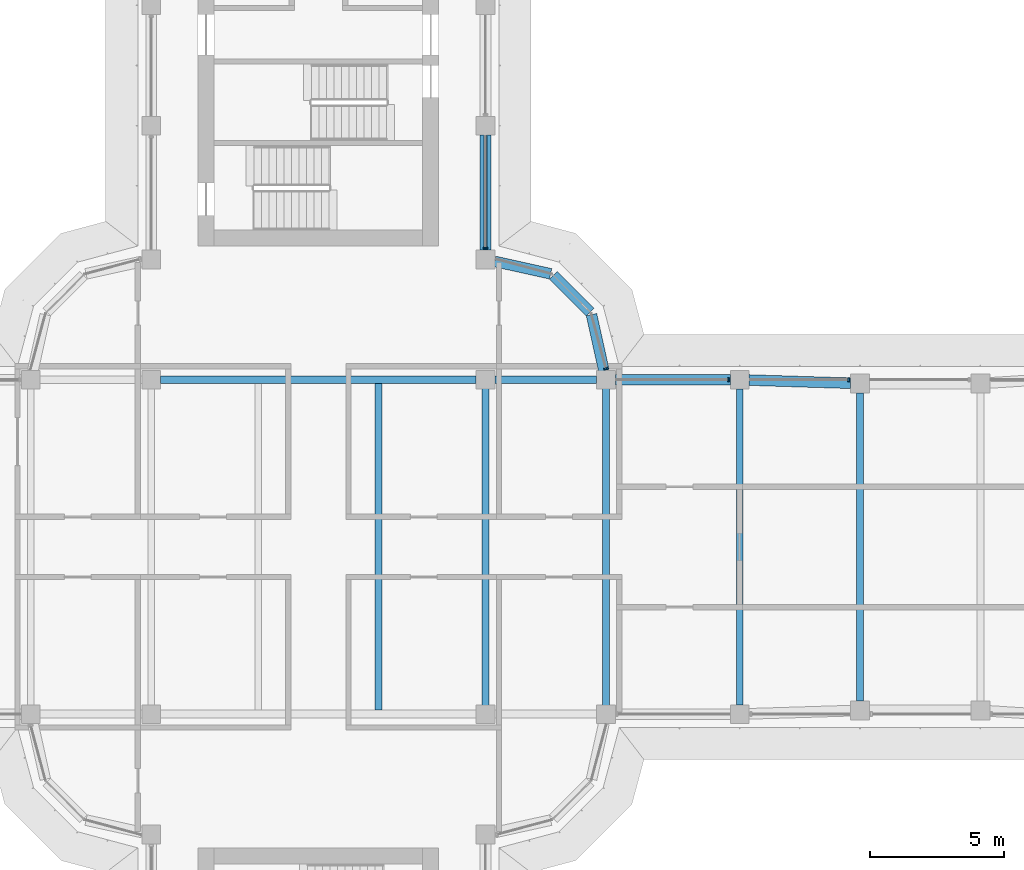
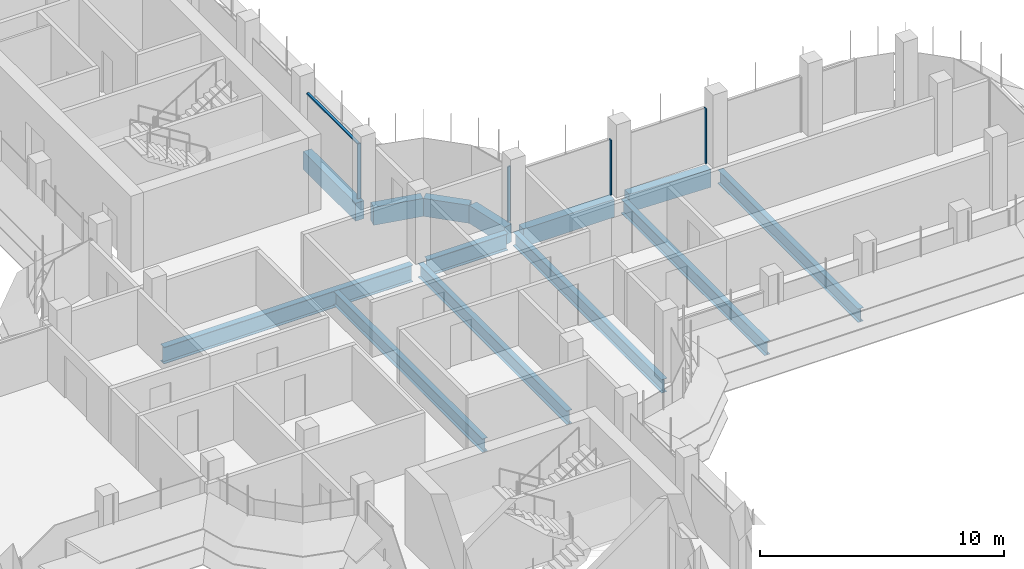
# One storey, part 8 of 19: 13 beams, 5 members, 3 elements without a shape of their own.
"""IFC4 building model written with IfcOpenShell, lengths in metres."""

from ifc_helpers import new_model, si_unit, direction, frame, origin, origin_2d, place, context, subcontext, project, spatial, polyline, rectangle, i_section, outline, extrude, source, transform, mapped, material, material_profile, profile_set, type_object, element, aggregate, save


model = new_model("IFC4")

# Units and contexts
model_context = context("Model", 3, precision=1e-05, world=origin(), true_north=direction((0.0, 1.0)))
body_context = subcontext(model_context, "Body", "Model", "MODEL_VIEW")
ifc_project = project(units=[si_unit("LENGTHUNIT", "METRE"), si_unit("AREAUNIT", "SQUARE_METRE"), si_unit("VOLUMEUNIT", "CUBIC_METRE"), si_unit("PLANEANGLEUNIT", "RADIAN"), si_unit("MASSUNIT", "GRAM", prefix="KILO")], contexts=[model_context])

# Site, building, storey
site_placement = place(None, origin())
site = spatial("IfcSite", under=ifc_project, at=site_placement, CompositionType="ELEMENT")
building_placement = place(site_placement, origin())
building = spatial("IfcBuilding", under=site, at=building_placement, Name="Zarbagh Exchange Tower", CompositionType="ELEMENT")
storey_placement = place(building_placement, frame((0.0, 0.0, 241.0)))
storey = spatial("IfcBuildingStorey", under=building, at=storey_placement, Name="L59", CompositionType="ELEMENT", Elevation=241.0)

# Beams
ifc_material_1 = material(Name="Steel ASTM A992 Gr 50", Category="steel")
ifc_material_profile_1 = material_profile(ifc_material_1, i_section(OverallWidth=0.25390625, OverallDepth=0.67822265625, WebThickness=0.01171875, FlangeThickness=0.016357421875, at=origin_2d()), Name="W27X84")
ifc_profile_set_1 = profile_set([ifc_material_profile_1], Name="Steel ASTM A992 Gr 50")
beam_type_1 = type_object("IfcBeamType", Name="Floor beam W27X84", PredefinedType="BEAM", material=ifc_profile_set_1)
for number, where, z_axis, x_axis, name in (
    (1, (2.25, -6.10400390625, -0.489013671875), (0.0, 1.0, 0.0), (-1.0, 0.0, 0.0), "Steel floor beam"),
    (2, (6.25, -6.10400390625, -0.489013671875), (0.0, 1.0, 0.0), (-1.0, 0.0, 0.0), "Steel floor beam"),
    (3, (10.75, -6.10400390625, -0.489013671875), (0.0, 1.0, 0.0), (-1.0, 0.0, 0.0), "Steel floor beam"),
):
    element("IfcBeam", number, at=place(storey_placement, frame(where, z_axis=z_axis, x_axis=x_axis)), inside=storey, type_object=beam_type_1, Name=name, PredefinedType="BEAM", context=body_context, shape_type="SweptSolid", body=[
        extrude(i_section(OverallWidth=0.25390625, OverallDepth=0.67822265625, WebThickness=0.01171875, FlangeThickness=0.016357421875, at=origin_2d()), origin(), (0.0, 0.0, 1.0), 12.2080078125),
    ])
beam_1_placement = place(storey_placement, frame((15.75, -5.89990234375, -0.489013671875), z_axis=(0.0, 1.0, 0.0), x_axis=(-1.0, 0.0, 0.0)))
element("IfcBeam", 4, at=beam_1_placement, inside=storey, type_object=beam_type_1, Name="Steel floor beam", PredefinedType="BEAM", context=body_context, shape_type="SweptSolid", body=[
    extrude(i_section(OverallWidth=0.25390625, OverallDepth=0.67822265625, WebThickness=0.01171875, FlangeThickness=0.016357421875, at=origin_2d()), origin(), (0.0, 0.0, 1.0), 11.7998046875),
])
beam_2_placement = place(storey_placement, frame((20.25, -5.760009765625, -0.489013671875), z_axis=(0.0, 1.0, 0.0), x_axis=(-1.0, 0.0, 0.0)))
element("IfcBeam", 5, at=beam_2_placement, inside=storey, type_object=beam_type_1, Name="Steel floor beam", PredefinedType="BEAM", context=body_context, shape_type="SweptSolid", body=[
    extrude(i_section(OverallWidth=0.25390625, OverallDepth=0.67822265625, WebThickness=0.01171875, FlangeThickness=0.016357421875, at=origin_2d()), origin(), (0.0, 0.0, 1.0), 11.52001953125),
])
ifc_material_profile_2 = material_profile(ifc_material_1, i_section(OverallWidth=0.2919921875, OverallDepth=0.835693359375, WebThickness=0.013916015625, FlangeThickness=0.018798828125, at=origin_2d()), Name="W33X118")
ifc_profile_set_2 = profile_set([ifc_material_profile_2], Name="Steel ASTM A992 Gr 50")
beam_type_2 = type_object("IfcBeamType", Name="Floor girder W33X118", PredefinedType="BEAM", material=ifc_profile_set_2)
beam_3_placement = place(storey_placement, frame((-5.89990234375, 6.25, -0.56787109375), z_axis=(1.0, 0.0, 0.0), x_axis=(0.0, 1.0, 0.0)))
element("IfcBeam", 6, at=beam_3_placement, inside=storey, type_object=beam_type_2, Name="Steel girder", PredefinedType="BEAM", context=body_context, shape_type="SweptSolid", body=[
    extrude(i_section(OverallWidth=0.2919921875, OverallDepth=0.835693359375, WebThickness=0.013916015625, FlangeThickness=0.018798828125, at=origin_2d()), origin(), (0.0, 0.0, 1.0), 11.7998046875),
])
beam_4_placement = place(storey_placement, frame((6.60009765625, 6.25, -0.56787109375), z_axis=(1.0, 0.0, 0.0), x_axis=(0.0, 1.0, 0.0)))
element("IfcBeam", 7, at=beam_4_placement, inside=storey, type_object=beam_type_2, Name="Steel girder", PredefinedType="BEAM", context=body_context, shape_type="SweptSolid", body=[
    extrude(i_section(OverallWidth=0.2919921875, OverallDepth=0.835693359375, WebThickness=0.013916015625, FlangeThickness=0.018798828125, at=origin_2d()), origin(), (0.0, 0.0, 1.0), 3.7998046875),
])
ifc_material_2 = material(Name="Concrete C50/60", Category="concrete")
ifc_material_profile_3 = material_profile(ifc_material_2, rectangle(XDim=0.39990234375, YDim=0.89990234375, at=origin_2d()), Name="RC spandrel beam 400 x 900 C50/60")
ifc_profile_set_3 = profile_set([ifc_material_profile_3], Name="Concrete C50/60")
beam_type_3 = type_object("IfcBeamType", Name="RC spandrel beam 400 x 900 C50/60", PredefinedType="SPANDREL", material=ifc_profile_set_3)
beam_5_placement = place(storey_placement, frame((6.25, 15.39990234375, -0.60009765625), z_axis=(0.0, -1.0, 0.0), x_axis=(1.0, 0.0, 0.0)))
element("IfcBeam", 8, at=beam_5_placement, inside=storey, type_object=beam_type_3, Name="RC spandrel beam", PredefinedType="SPANDREL", context=body_context, shape_type="SweptSolid", body=[
    extrude(rectangle(XDim=0.39990234375, YDim=0.89990234375, at=origin_2d()), origin(), (0.0, 0.0, 1.0), 4.2998046875),
])
beam_6_placement = place(storey_placement, frame((6.591796875, 10.67431640625, -0.60009765625), z_axis=(0.97639036545, -0.216013551096, 0.0), x_axis=(0.216013551096, 0.97639036545, 0.0)))
element("IfcBeam", 9, at=beam_6_placement, inside=storey, type_object=beam_type_3, Name="RC spandrel beam", PredefinedType="SPANDREL", context=body_context, shape_type="SweptSolid", body=[
    extrude(rectangle(XDim=0.39990234375, YDim=0.89990234375, at=origin_2d()), origin(), (0.0, 0.0, 1.0), 2.142822265625),
])
beam_7_placement = place(storey_placement, frame((8.782470703125, 10.15771484375, -0.60009765625), z_axis=(0.707106781187, -0.707106781187, 0.0), x_axis=(0.707106781187, 0.707106781187, 0.0)))
element("IfcBeam", 10, at=beam_7_placement, inside=storey, type_object=beam_type_3, Name="RC spandrel beam", PredefinedType="SPANDREL", context=body_context, shape_type="SweptSolid", body=[
    extrude(rectangle(XDim=0.39990234375, YDim=0.89990234375, at=origin_2d()), origin(), (0.0, 0.0, 1.0), 1.94482421875),
])
beam_8_placement = place(storey_placement, frame((10.21142578125, 8.68408203125, -0.60009765625), z_axis=(0.216013551096, -0.97639036545, 0.0), x_axis=(0.97639036545, 0.216013551096, 0.0)))
element("IfcBeam", 11, at=beam_8_placement, inside=storey, type_object=beam_type_3, Name="RC spandrel beam", PredefinedType="SPANDREL", context=body_context, shape_type="SweptSolid", body=[
    extrude(rectangle(XDim=0.39990234375, YDim=0.89990234375, at=origin_2d()), origin(), (0.0, 0.0, 1.0), 2.142822265625),
])
beam_9_placement = place(storey_placement, frame((11.10009765625, 6.25, -0.60009765625), z_axis=(1.0, 0.0, 0.0), x_axis=(0.0, 1.0, 0.0)))
element("IfcBeam", 12, at=beam_9_placement, inside=storey, type_object=beam_type_3, Name="RC spandrel beam", PredefinedType="SPANDREL", context=body_context, shape_type="SweptSolid", body=[
    extrude(rectangle(XDim=0.39990234375, YDim=0.89990234375, at=origin_2d()), origin(), (0.0, 0.0, 1.0), 4.2998046875),
])
beam_10_placement = place(storey_placement, frame((16.099853515625, 6.239013671875, -0.60009765625), z_axis=(0.999516950199, -0.031078389046, 0.0), x_axis=(0.031078389046, 0.999516950199, 0.0)))
element("IfcBeam", 13, at=beam_10_placement, inside=storey, type_object=beam_type_3, Name="RC spandrel beam", PredefinedType="SPANDREL", context=body_context, shape_type="SweptSolid", body=[
    extrude(rectangle(XDim=0.39990234375, YDim=0.89990234375, at=origin_2d()), origin(), (0.0, 0.0, 1.0), 3.80224609375),
])

# Curtain wall, members
ifc_material_3 = material(Name="Anodised aluminium frame and glazing", Category="aluminium")
curtain_wall_type = type_object("IfcCurtainWallType", Name="CWB Ribbon glazing, upper zones", PredefinedType="NOTDEFINED", material=ifc_material_3)
curtain_wall_1_placement = place(storey_placement, origin())
curtain_wall_1 = element("IfcCurtainWall", 14, at=curtain_wall_1_placement, inside=storey, type_object=curtain_wall_type, Name="CWB16 curtain wall", PredefinedType="NOTDEFINED")
ifc_material_4 = material(Name="Anodised aluminium frame", Category="aluminium")
member_type_1 = type_object("IfcMemberType", Name="MUB Mullion, anodised aluminium frame", PredefinedType="MULLION", material=ifc_material_4)
shared_shape_1 = source(origin(), body_context, "Body", "SweptSolid", [
    extrude(outline(polyline([(0.0, -0.080078125), (0.06005859375, -0.080078125), (0.06005859375, 0.080078125), (0.0, 0.080078125), (0.0, -0.080078125)])), origin(), (0.0, 0.0, 1.0), 2.75),
])
placement = place(storey_placement, origin())
member_1 = element("IfcMember", 15, at=placement, type_object=member_type_1, Name="CWB16 mullion 3.1", PredefinedType="MULLION", context=body_context, shape_type="MappedRepresentation", body=[
    mapped(shared_shape_1, transform((19.85986328125, 6.25, 0.0), x_axis=(-1.0, 0.0, 0.0), y_axis=(0.0, -1.0, 0.0), z_axis=(0.0, 0.0, 1.0))),
])
member_2 = element("IfcMember", 16, at=placement, type_object=member_type_1, Name="CWB16 mullion 4.1", PredefinedType="MULLION", context=body_context, shape_type="MappedRepresentation", body=[
    mapped(shared_shape_1, transform((15.35986328125, 6.25, 0.0), x_axis=(-1.0, 0.0, 0.0), y_axis=(0.0, -1.0, 0.0), z_axis=(0.0, 0.0, 1.0))),
])
aggregate(curtain_wall_1, [member_1, member_2])

# Curtain wall, member
curtain_wall_2_placement = place(storey_placement, origin())
curtain_wall_2 = element("IfcCurtainWall", 17, at=curtain_wall_2_placement, inside=storey, type_object=curtain_wall_type, Name="CWB17 curtain wall", PredefinedType="NOTDEFINED")
member_3 = element("IfcMember", 18, at=placement, type_object=member_type_1, Name="CWB17 mullion 1.1", PredefinedType="MULLION", context=body_context, shape_type="MappedRepresentation", body=[
    mapped(shared_shape_1, transform((10.76171875, 6.64013671875, 0.0), x_axis=(-0.258824779902, 0.965924289636, 0.0), y_axis=(-0.965924289636, -0.258824779902, 0.0), z_axis=(0.0, 0.0, 1.0))),
])
aggregate(curtain_wall_2, [member_3])

# Curtain wall, members
curtain_wall_3_placement = place(storey_placement, origin())
curtain_wall_3 = element("IfcCurtainWall", 19, at=curtain_wall_3_placement, inside=storey, type_object=curtain_wall_type, Name="CWB67 curtain wall", PredefinedType="NOTDEFINED")
member_4 = element("IfcMember", 20, at=placement, type_object=member_type_1, Name="CWB67 mullion 1.1", PredefinedType="MULLION", context=body_context, shape_type="MappedRepresentation", body=[
    mapped(shared_shape_1, transform((6.25, 11.14013671875, 0.0), x_axis=(0.0, 1.0, 0.0), y_axis=(-1.0, 0.0, 0.0), z_axis=(0.0, 0.0, 1.0))),
])
member_type_2 = type_object("IfcMemberType", Name="TRB Transom, anodised aluminium frame", PredefinedType="USERDEFINED", material=ifc_material_4)
shared_shape_2 = source(origin(), body_context, "Body", "SweptSolid", [
    extrude(outline(polyline([(-0.06005859375, -0.06005859375), (0.0, -0.06005859375), (0.0, 0.06005859375), (-0.06005859375, 0.06005859375), (-0.06005859375, -0.06005859375)])), origin(), (0.0, 0.0, 1.0), 4.159912109375),
])
member_5 = element("IfcMember", 21, at=placement, type_object=member_type_2, Name="CWB67 transom 1.1", ObjectType="TRANSOM", PredefinedType="USERDEFINED", context=body_context, shape_type="MappedRepresentation", body=[
    mapped(shared_shape_2, transform((6.25, 11.199951171875, 2.75), x_axis=(0.0, 0.0, 1.0), y_axis=(1.0, 0.0, 0.0), z_axis=(0.0, 1.0, 0.0))),
])
aggregate(curtain_wall_3, [member_4, member_5])

save(model, "model.ifc")
